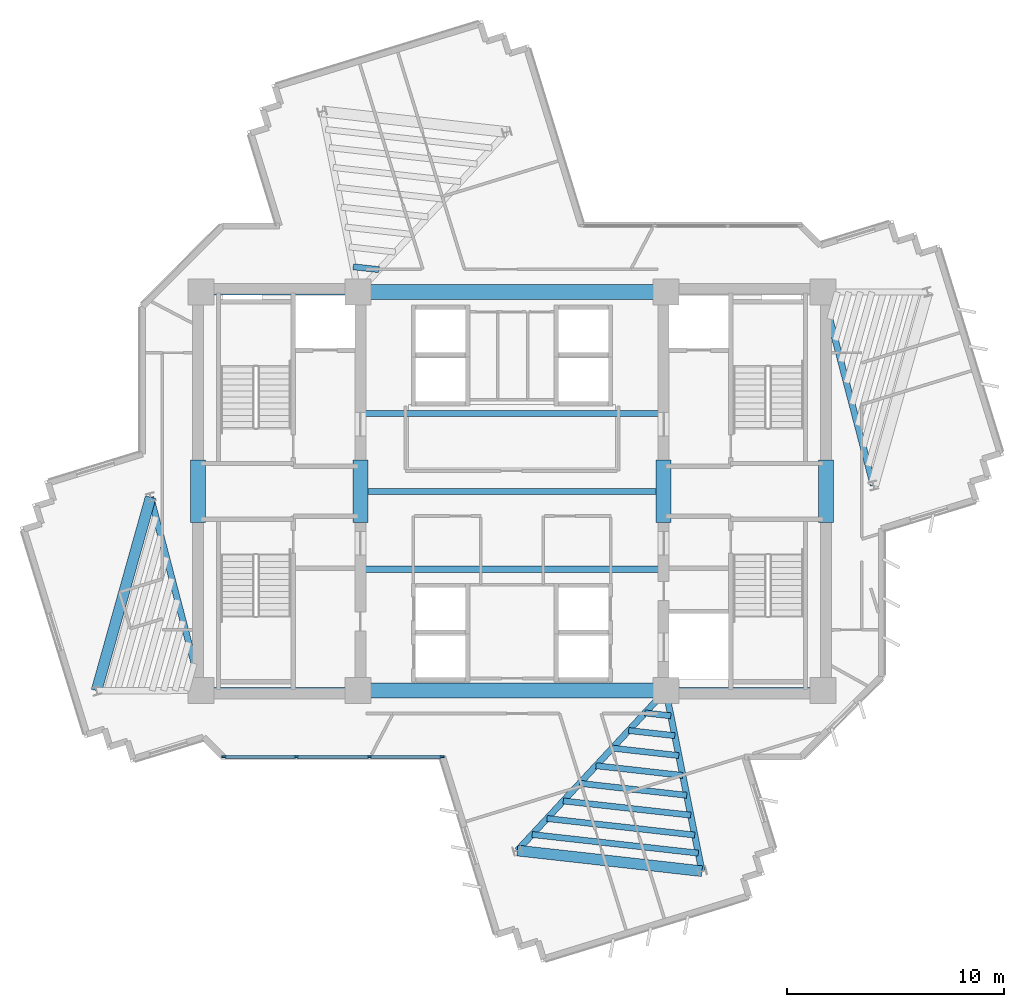
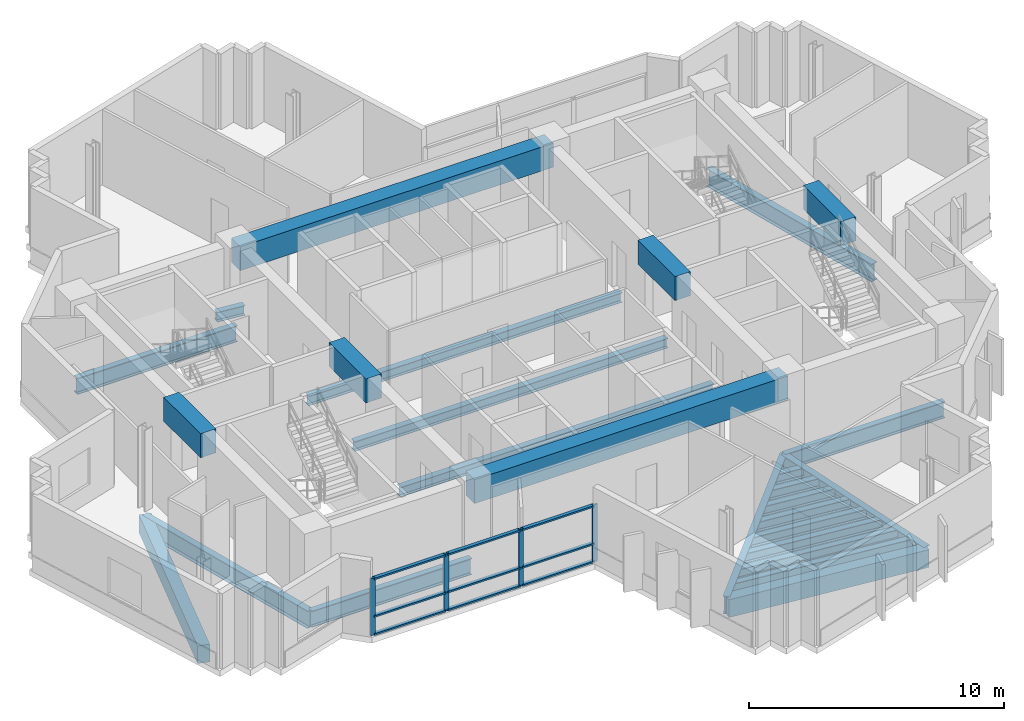
# One storey, part 2 of 13: 27 beams, 13 members, 1 element without a shape of its own.
"""IFC4 building model written with IfcOpenShell, lengths in metres."""

from ifc_helpers import new_model, si_unit, direction, frame, origin, origin_2d, place, context, subcontext, project, spatial, rectangle, i_section, extrude, source, transform, mapped, material, layer, layer_set, material_profile, profile_set, type_object, element, aggregate, save


model = new_model("IFC4")

# Units and contexts
model_context = context("Model", 3, precision=1e-05, world=origin(), true_north=direction((0.0, 1.0)))
body_context = subcontext(model_context, "Body", "Model", "MODEL_VIEW")
ifc_project = project(units=[si_unit("LENGTHUNIT", "METRE"), si_unit("AREAUNIT", "SQUARE_METRE"), si_unit("VOLUMEUNIT", "CUBIC_METRE"), si_unit("PLANEANGLEUNIT", "RADIAN"), si_unit("MASSUNIT", "GRAM", prefix="KILO")], contexts=[model_context])

# Site, building, storey
site_placement = place(None, origin())
site = spatial("IfcSite", under=ifc_project, at=site_placement, CompositionType="ELEMENT")
building_placement = place(site_placement, origin())
building = spatial("IfcBuilding", under=site, at=building_placement, Name="Zahravan Cultural Tower", CompositionType="ELEMENT")
storey_placement = place(building_placement, frame((0.0, 0.0, 217.5)))
storey = spatial("IfcBuildingStorey", under=building, at=storey_placement, Name="L51", CompositionType="ELEMENT", Elevation=217.5)

# Beams
ifc_material_1 = material(Name="Concrete C50/60", Category="concrete")
ifc_material_profile_1 = material_profile(ifc_material_1, rectangle(XDim=0.699951171875, YDim=1.14990234375, at=origin_2d()), Name="RC700X1150")
ifc_profile_set_1 = profile_set([ifc_material_profile_1], Name="Concrete C50/60")
beam_type_1 = type_object("IfcBeamType", Name="BM-LN-RC700X1150", PredefinedType="LINTEL", material=ifc_profile_set_1)
shared_shape_1 = source(origin(), body_context, "Body", "SweptSolid", [
    extrude(rectangle(XDim=0.699951171875, YDim=1.14990234375, at=origin_2d()), origin(), (0.0, 0.0, 1.0), 14.2001953125),
])
for number, where, z_axis, x_axis, name in (
    (1, (28.89990234375, 17.800048828125, 3.044921875), (1.0, 0.0, 0.0), (0.0, 1.0, 0.0), "L51 Beam LN-L51-S"),
    (2, (28.89990234375, 36.199951171875, 3.044921875), (1.0, 0.0, 0.0), (0.0, 1.0, 0.0), "L51 Beam LN-L51-N"),
):
    element("IfcBeam", number, at=place(storey_placement, frame(where, z_axis=z_axis, x_axis=x_axis)), inside=storey, type_object=beam_type_1, Name=name, PredefinedType="LINTEL", context=body_context, shape_type="MappedRepresentation", body=[
        mapped(shared_shape_1, transform((0.0, 0.0, 0.0), x_axis=(1.0, 0.0, 0.0), y_axis=(0.0, 1.0, 0.0), z_axis=(0.0, 0.0, 1.0), scale=1.0)),
    ])
shared_shape_2 = source(origin(), body_context, "Body", "SweptSolid", [
    extrude(rectangle(XDim=0.699951171875, YDim=1.14990234375, at=origin_2d()), origin(), (0.0, 0.0, 1.0), 2.89990234375),
])
for number, where, z_axis, x_axis, name in (
    (3, (21.5, 25.550048828125, 3.044921875), (0.0, 1.0, 0.0), (-1.0, 0.0, 0.0), "L51 Beam LN-L51-PWW"),
    (4, (29.0, 25.550048828125, 3.044921875), (0.0, 1.0, 0.0), (-1.0, 0.0, 0.0), "L51 Beam LN-L51-PWE"),
    (5, (43.0, 25.550048828125, 3.044921875), (0.0, 1.0, 0.0), (-1.0, 0.0, 0.0), "L51 Beam LN-L51-PEW"),
    (6, (50.5, 25.550048828125, 3.044921875), (0.0, 1.0, 0.0), (-1.0, 0.0, 0.0), "L51 Beam LN-L51-PEE"),
):
    element("IfcBeam", number, at=place(storey_placement, frame(where, z_axis=z_axis, x_axis=x_axis)), inside=storey, type_object=beam_type_1, Name=name, PredefinedType="LINTEL", context=body_context, shape_type="MappedRepresentation", body=[
        mapped(shared_shape_2, transform((0.0, 0.0, 0.0), x_axis=(1.0, 0.0, 0.0), y_axis=(0.0, 1.0, 0.0), z_axis=(0.0, 0.0, 1.0), scale=1.0)),
    ])
ifc_material_2 = material(Name="Steel ASTM A992 Grade 50", Category="steel")
ifc_material_profile_2 = material_profile(ifc_material_2, i_section(OverallWidth=0.26611328125, OverallDepth=0.780029296875, WebThickness=0.0166015625, FlangeThickness=0.030029296875, FilletRadius=0.01904296875, at=origin_2d()), Name="W30X148")
ifc_profile_set_2 = profile_set([ifc_material_profile_2], Name="Steel ASTM A992 Grade 50")
beam_type_2 = type_object("IfcBeamType", Name="BM-G-W30X148", PredefinedType="BEAM", material=ifc_profile_set_2)
shared_shape_3 = source(origin(), body_context, "Body", "SweptSolid", [
    extrude(i_section(OverallWidth=0.26611328125, OverallDepth=0.780029296875, WebThickness=0.0166015625, FlangeThickness=0.030029296875, FilletRadius=0.01904296875, at=origin_2d()), origin(), (0.0, 0.0, 1.0), 7.25),
])
for number, where, z_axis, x_axis, name in (
    (7, (21.64990234375, 17.800048828125, -0.669921875), (1.0, 0.0, 0.0), (0.0, 1.0, 0.0), "L51 Beam BG-L51-01"),
    (8, (21.64990234375, 36.199951171875, -0.669921875), (1.0, 0.0, 0.0), (0.0, 1.0, 0.0), "L51 Beam BG-L51-02"),
    (9, (43.10009765625, 17.800048828125, -0.669921875), (1.0, 0.0, 0.0), (0.0, 1.0, 0.0), "L51 Beam BG-L51-04"),
):
    element("IfcBeam", number, at=place(storey_placement, frame(where, z_axis=z_axis, x_axis=x_axis)), inside=storey, type_object=beam_type_2, Name=name, PredefinedType="BEAM", context=body_context, shape_type="MappedRepresentation", body=[
        mapped(shared_shape_3, transform((0.0, 0.0, 0.0), x_axis=(1.0, 0.0, 0.0), y_axis=(0.0, 1.0, 0.0), z_axis=(0.0, 0.0, 1.0), scale=1.0)),
    ])
ifc_material_profile_3 = material_profile(ifc_material_1, rectangle(XDim=0.5, YDim=0.85009765625, at=origin_2d()), Name="RC500X850")
ifc_profile_set_3 = profile_set([ifc_material_profile_3], Name="Concrete C50/60")
beam_type_3 = type_object("IfcBeamType", Name="BM-SP-RC500X850", PredefinedType="SPANDREL", material=ifc_profile_set_3)
shared_shape_4 = source(origin(), body_context, "Body", "SweptSolid", [
    extrude(rectangle(XDim=0.5, YDim=0.85009765625, at=origin_2d()), origin(), (0.0, 0.0, 1.0), 9.2783203125),
])
beam_1_placement = place(storey_placement, frame((19.315673828125, 26.72900390625, -0.705078125), z_axis=(-0.269497187032, -0.963001176625, 0.0), x_axis=(0.963001176625, -0.269497187032, 0.0)))
element("IfcBeam", 10, at=beam_1_placement, inside=storey, type_object=beam_type_3, Name="L51 Beam SP-L51-15", PredefinedType="SPANDREL", context=body_context, shape_type="MappedRepresentation", body=[
    mapped(shared_shape_4, transform((0.0, 0.0, 0.0), x_axis=(1.0, 0.0, 0.0), y_axis=(0.0, 1.0, 0.0), z_axis=(0.0, 0.0, 1.0), scale=1.0)),
])
shared_shape_5 = source(origin(), body_context, "Body", "SweptSolid", [
    extrude(rectangle(XDim=0.5, YDim=0.85009765625, at=origin_2d()), origin(), (0.0, 0.0, 1.0), 8.579833984375),
])
beam_2_placement = place(storey_placement, frame((36.245361328125, 10.412353515625, -0.705078125), z_axis=(0.9938040105, -0.11114669907, 0.0), x_axis=(0.11114669907, 0.9938040105, 0.0)))
element("IfcBeam", 11, at=beam_2_placement, inside=storey, type_object=beam_type_3, Name="L51 Beam SP-L51-16", PredefinedType="SPANDREL", context=body_context, shape_type="MappedRepresentation", body=[
    mapped(shared_shape_5, transform((0.0, 0.0, 0.0), x_axis=(1.0, 0.0, 0.0), y_axis=(0.0, 1.0, 0.0), z_axis=(0.0, 0.0, 1.0), scale=1.0)),
])
ifc_material_profile_4 = material_profile(ifc_material_2, i_section(OverallWidth=0.29296875, OverallDepth=0.845947265625, WebThickness=0.015380859375, FlangeThickness=0.0244140625, FilletRadius=0.02001953125, at=origin_2d()), Name="W33X141")
ifc_profile_set_4 = profile_set([ifc_material_profile_4], Name="Steel ASTM A992 Grade 50")
beam_type_4 = type_object("IfcBeamType", Name="BM-G-W33X141", PredefinedType="BEAM", material=ifc_profile_set_4)
shared_shape_6 = source(origin(), body_context, "Body", "SweptSolid", [
    extrude(i_section(OverallWidth=0.29296875, OverallDepth=0.845947265625, WebThickness=0.015380859375, FlangeThickness=0.0244140625, FilletRadius=0.02001953125, at=origin_2d()), origin(), (0.0, 0.0, 1.0), 9.22900390625),
])
for number, where, z_axis, x_axis, name in (
    (12, (21.64990234375, 17.800048828125, -0.702880859375), (-0.252922608408, 0.967486513682, 0.0), (-0.967486513682, -0.252922608408, 0.0), "L51 Beam BG-L51-07"),
    (13, (50.35009765625, 36.199951171875, -0.702880859375), (0.252922608408, -0.967486513682, 0.0), (0.967486513682, 0.252922608408, 0.0), "L51 Beam BG-L51-11"),
):
    element("IfcBeam", number, at=place(storey_placement, frame(where, z_axis=z_axis, x_axis=x_axis)), inside=storey, type_object=beam_type_4, Name=name, PredefinedType="BEAM", context=body_context, shape_type="MappedRepresentation", body=[
        mapped(shared_shape_6, transform((0.0, 0.0, 0.0), x_axis=(1.0, 0.0, 0.0), y_axis=(0.0, 1.0, 0.0), z_axis=(0.0, 0.0, 1.0), scale=1.0)),
    ])
shared_shape_7 = source(origin(), body_context, "Body", "SweptSolid", [
    extrude(i_section(OverallWidth=0.29296875, OverallDepth=0.845947265625, WebThickness=0.015380859375, FlangeThickness=0.0244140625, FilletRadius=0.02001953125, at=origin_2d()), origin(), (0.0, 0.0, 1.0), 10.077880859375),
])
beam_3_placement = place(storey_placement, frame((43.10009765625, 17.800048828125, -0.702880859375), z_axis=(-0.680170435587, -0.733054007938, 0.0), x_axis=(0.733054007938, -0.680170435587, 0.0)))
element("IfcBeam", 14, at=beam_3_placement, inside=storey, type_object=beam_type_4, Name="L51 Beam BG-L51-09", PredefinedType="BEAM", context=body_context, shape_type="MappedRepresentation", body=[
    mapped(shared_shape_7, transform((0.0, 0.0, 0.0), x_axis=(1.0, 0.0, 0.0), y_axis=(0.0, 1.0, 0.0), z_axis=(0.0, 0.0, 1.0), scale=1.0)),
])
shared_shape_8 = source(origin(), body_context, "Body", "SweptSolid", [
    extrude(i_section(OverallWidth=0.29296875, OverallDepth=0.845947265625, WebThickness=0.015380859375, FlangeThickness=0.0244140625, FilletRadius=0.02001953125, at=origin_2d()), origin(), (0.0, 0.0, 1.0), 8.50732421875),
])
beam_4_placement = place(storey_placement, frame((43.10009765625, 17.800048828125, -0.702880859375), z_axis=(0.196524514012, -0.980498911469, 0.0), x_axis=(0.980498911469, 0.196524514012, 0.0)))
element("IfcBeam", 15, at=beam_4_placement, inside=storey, type_object=beam_type_4, Name="L51 Beam BG-L51-10", PredefinedType="BEAM", context=body_context, shape_type="MappedRepresentation", body=[
    mapped(shared_shape_8, transform((0.0, 0.0, 0.0), x_axis=(1.0, 0.0, 0.0), y_axis=(0.0, 1.0, 0.0), z_axis=(0.0, 0.0, 1.0), scale=1.0)),
])
ifc_material_profile_5 = material_profile(ifc_material_2, i_section(OverallWidth=0.280029296875, OverallDepth=0.462890625, WebThickness=0.0107421875, FlangeThickness=0.017333984375, FilletRadius=0.012939453125, at=origin_2d()), Name="W18X76")
ifc_profile_set_5 = profile_set([ifc_material_profile_5], Name="Steel ASTM A992 Grade 50")
beam_type_5 = type_object("IfcBeamType", Name="BM-J-W18X76", PredefinedType="JOIST", material=ifc_profile_set_5)
shared_shape_9 = source(origin(), body_context, "Body", "SweptSolid", [
    extrude(i_section(OverallWidth=0.280029296875, OverallDepth=0.462890625, WebThickness=0.0107421875, FlangeThickness=0.017333984375, FilletRadius=0.012939453125, at=origin_2d()), origin(), (0.0, 0.0, 1.0), 14.2001953125),
])
for number, where, z_axis, x_axis, name in (
    (16, (28.89990234375, 23.39990234375, -0.511474609375), (1.0, 0.0, 0.0), (0.0, 1.0, 0.0), "L51 Beam BJ-L51-19"),
    (17, (28.89990234375, 27.0, -0.511474609375), (1.0, 0.0, 0.0), (0.0, 1.0, 0.0), "L51 Beam BJ-L51-20"),
    (18, (28.89990234375, 30.60009765625, -0.511474609375), (1.0, 0.0, 0.0), (0.0, 1.0, 0.0), "L51 Beam BJ-L51-21"),
):
    element("IfcBeam", number, at=place(storey_placement, frame(where, z_axis=z_axis, x_axis=x_axis)), inside=storey, type_object=beam_type_5, Name=name, PredefinedType="JOIST", context=body_context, shape_type="MappedRepresentation", body=[
        mapped(shared_shape_9, transform((0.0, 0.0, 0.0), x_axis=(1.0, 0.0, 0.0), y_axis=(0.0, 1.0, 0.0), z_axis=(0.0, 0.0, 1.0), scale=1.0)),
    ])
shared_shape_10 = source(origin(), body_context, "Body", "SweptSolid", [
    extrude(i_section(OverallWidth=0.280029296875, OverallDepth=0.462890625, WebThickness=0.0107421875, FlangeThickness=0.017333984375, FilletRadius=0.012939453125, at=origin_2d()), origin(), (0.0, 0.0, 1.0), 1.201171875),
])
for number, where, z_axis, x_axis, name in (
    (19, (42.140380859375, 16.765625, -0.511474609375), (0.99379916149, -0.111190047317, 0.0), (0.111190047317, 0.99379916149, 0.0), "L51 Beam BJ-L51-30"),
    (20, (29.859619140625, 37.234375, -0.511474609375), (-0.99379916149, 0.111190047317, 0.0), (-0.111190047317, -0.99379916149, 0.0), "L51 Beam BJ-L51-46"),
):
    element("IfcBeam", number, at=place(storey_placement, frame(where, z_axis=z_axis, x_axis=x_axis)), inside=storey, type_object=beam_type_5, Name=name, PredefinedType="JOIST", context=body_context, shape_type="MappedRepresentation", body=[
        mapped(shared_shape_10, transform((0.0, 0.0, 0.0), x_axis=(1.0, 0.0, 0.0), y_axis=(0.0, 1.0, 0.0), z_axis=(0.0, 0.0, 1.0), scale=1.0)),
    ])
shared_shape_11 = source(origin(), body_context, "Body", "SweptSolid", [
    extrude(i_section(OverallWidth=0.280029296875, OverallDepth=0.462890625, WebThickness=0.0107421875, FlangeThickness=0.017333984375, FilletRadius=0.012939453125, at=origin_2d()), origin(), (0.0, 0.0, 1.0), 2.144775390625),
])
beam_5_placement = place(storey_placement, frame((41.386474609375, 15.953125, -0.511474609375), z_axis=(0.993797370806, -0.111206051, 0.0), x_axis=(0.111206051, 0.993797370806, 0.0)))
element("IfcBeam", 21, at=beam_5_placement, inside=storey, type_object=beam_type_5, Name="L51 Beam BJ-L51-31", PredefinedType="JOIST", context=body_context, shape_type="MappedRepresentation", body=[
    mapped(shared_shape_11, transform((0.0, 0.0, 0.0), x_axis=(1.0, 0.0, 0.0), y_axis=(0.0, 1.0, 0.0), z_axis=(0.0, 0.0, 1.0), scale=1.0)),
])
shared_shape_12 = source(origin(), body_context, "Body", "SweptSolid", [
    extrude(i_section(OverallWidth=0.280029296875, OverallDepth=0.462890625, WebThickness=0.0107421875, FlangeThickness=0.017333984375, FilletRadius=0.012939453125, at=origin_2d()), origin(), (0.0, 0.0, 1.0), 3.088623046875),
])
beam_6_placement = place(storey_placement, frame((40.63232421875, 15.140380859375, -0.511474609375), z_axis=(0.993805407368, -0.111134208443, 0.0), x_axis=(0.111134208443, 0.993805407368, 0.0)))
element("IfcBeam", 22, at=beam_6_placement, inside=storey, type_object=beam_type_5, Name="L51 Beam BJ-L51-32", PredefinedType="JOIST", context=body_context, shape_type="MappedRepresentation", body=[
    mapped(shared_shape_12, transform((0.0, 0.0, 0.0), x_axis=(1.0, 0.0, 0.0), y_axis=(0.0, 1.0, 0.0), z_axis=(0.0, 0.0, 1.0), scale=1.0)),
])
shared_shape_13 = source(origin(), body_context, "Body", "SweptSolid", [
    extrude(i_section(OverallWidth=0.280029296875, OverallDepth=0.462890625, WebThickness=0.0107421875, FlangeThickness=0.017333984375, FilletRadius=0.012939453125, at=origin_2d()), origin(), (0.0, 0.0, 1.0), 4.0322265625),
])
beam_7_placement = place(storey_placement, frame((39.87841796875, 14.327880859375, -0.511474609375), z_axis=(0.993802245601, -0.11116247855, 0.0), x_axis=(0.11116247855, 0.993802245601, 0.0)))
element("IfcBeam", 23, at=beam_7_placement, inside=storey, type_object=beam_type_5, Name="L51 Beam BJ-L51-33", PredefinedType="JOIST", context=body_context, shape_type="MappedRepresentation", body=[
    mapped(shared_shape_13, transform((0.0, 0.0, 0.0), x_axis=(1.0, 0.0, 0.0), y_axis=(0.0, 1.0, 0.0), z_axis=(0.0, 0.0, 1.0), scale=1.0)),
])
shared_shape_14 = source(origin(), body_context, "Body", "SweptSolid", [
    extrude(i_section(OverallWidth=0.280029296875, OverallDepth=0.462890625, WebThickness=0.0107421875, FlangeThickness=0.017333984375, FilletRadius=0.012939453125, at=origin_2d()), origin(), (0.0, 0.0, 1.0), 4.97607421875),
])
beam_8_placement = place(storey_placement, frame((39.124267578125, 13.51513671875, -0.511474609375), z_axis=(0.993806308517, -0.111126149723, 0.0), x_axis=(0.111126149723, 0.993806308517, 0.0)))
element("IfcBeam", 24, at=beam_8_placement, inside=storey, type_object=beam_type_5, Name="L51 Beam BJ-L51-34", PredefinedType="JOIST", context=body_context, shape_type="MappedRepresentation", body=[
    mapped(shared_shape_14, transform((0.0, 0.0, 0.0), x_axis=(1.0, 0.0, 0.0), y_axis=(0.0, 1.0, 0.0), z_axis=(0.0, 0.0, 1.0), scale=1.0)),
])
shared_shape_15 = source(origin(), body_context, "Body", "SweptSolid", [
    extrude(i_section(OverallWidth=0.280029296875, OverallDepth=0.462890625, WebThickness=0.0107421875, FlangeThickness=0.017333984375, FilletRadius=0.012939453125, at=origin_2d()), origin(), (0.0, 0.0, 1.0), 5.919921875),
])
beam_9_placement = place(storey_placement, frame((38.370361328125, 12.70263671875, -0.511474609375), z_axis=(0.993804520866, -0.111142135602, 0.0), x_axis=(0.111142135602, 0.993804520866, 0.0)))
element("IfcBeam", 25, at=beam_9_placement, inside=storey, type_object=beam_type_5, Name="L51 Beam BJ-L51-35", PredefinedType="JOIST", context=body_context, shape_type="MappedRepresentation", body=[
    mapped(shared_shape_15, transform((0.0, 0.0, 0.0), x_axis=(1.0, 0.0, 0.0), y_axis=(0.0, 1.0, 0.0), z_axis=(0.0, 0.0, 1.0), scale=1.0)),
])
shared_shape_16 = source(origin(), body_context, "Body", "SweptSolid", [
    extrude(i_section(OverallWidth=0.280029296875, OverallDepth=0.462890625, WebThickness=0.0107421875, FlangeThickness=0.017333984375, FilletRadius=0.012939453125, at=origin_2d()), origin(), (0.0, 0.0, 1.0), 6.86376953125),
])
beam_10_placement = place(storey_placement, frame((37.6162109375, 11.889892578125, -0.511474609375), z_axis=(0.993803224695, -0.111153725024, 0.0), x_axis=(0.111153725024, 0.993803224695, 0.0)))
element("IfcBeam", 26, at=beam_10_placement, inside=storey, type_object=beam_type_5, Name="L51 Beam BJ-L51-36", PredefinedType="JOIST", context=body_context, shape_type="MappedRepresentation", body=[
    mapped(shared_shape_16, transform((0.0, 0.0, 0.0), x_axis=(1.0, 0.0, 0.0), y_axis=(0.0, 1.0, 0.0), z_axis=(0.0, 0.0, 1.0), scale=1.0)),
])
shared_shape_17 = source(origin(), body_context, "Body", "SweptSolid", [
    extrude(i_section(OverallWidth=0.280029296875, OverallDepth=0.462890625, WebThickness=0.0107421875, FlangeThickness=0.017333984375, FilletRadius=0.012939453125, at=origin_2d()), origin(), (0.0, 0.0, 1.0), 7.7216796875),
])
beam_11_placement = place(storey_placement, frame((36.930908203125, 11.151123046875, -0.511474609375), z_axis=(0.993805212115, -0.11113595446, 0.0), x_axis=(0.11113595446, 0.993805212115, 0.0)))
element("IfcBeam", 27, at=beam_11_placement, inside=storey, type_object=beam_type_5, Name="L51 Beam BJ-L51-37", PredefinedType="JOIST", context=body_context, shape_type="MappedRepresentation", body=[
    mapped(shared_shape_17, transform((0.0, 0.0, 0.0), x_axis=(1.0, 0.0, 0.0), y_axis=(0.0, 1.0, 0.0), z_axis=(0.0, 0.0, 1.0), scale=1.0)),
])

# Curtain wall, members
ifc_material_3 = material(Name="Anodised bronze-aluminium mullion", Category="aluminium")
ifc_layer = layer(ifc_material_3, 0.219970703125)
ifc_layer_set = layer_set([ifc_layer], Name="Anodised bronze-aluminium mullion")
curtain_wall_type = type_object("IfcCurtainWallType", Name="CW-SYS-1", PredefinedType="USERDEFINED", material=ifc_layer_set)
curtain_wall_placement = place(storey_placement, origin())
curtain_wall = element("IfcCurtainWall", 28, at=curtain_wall_placement, inside=storey, type_object=curtain_wall_type, Name="L51 Recessed Curtain Wall CW-1.1", ObjectType="RECESSED GLAZING", PredefinedType="USERDEFINED")
ifc_material_profile_6 = material_profile(ifc_material_3, rectangle(XDim=0.080078125, YDim=0.219970703125, at=origin_2d()), Name="AL-M80X220")
ifc_profile_set_6 = profile_set([ifc_material_profile_6], Name="Anodised bronze-aluminium mullion")
member_type_1 = type_object("IfcMemberType", Name="CWM-CW-1", PredefinedType="MULLION", material=ifc_profile_set_6)
shared_shape_18 = source(origin(), body_context, "Body", "SweptSolid", [
    extrude(rectangle(XDim=0.080078125, YDim=0.219970703125, at=origin_2d()), origin(), (0.0, 0.0, 1.0), 2.739990234375),
])
member_1_placement = place(storey_placement, frame((32.763671875, 14.739990234375, 0.0), z_axis=(0.0, 0.0, 1.0), x_axis=(0.0, -1.0, 0.0)))
member_1 = element("IfcMember", 29, at=member_1_placement, type_object=member_type_1, Name="CW-1 mullion 1", PredefinedType="MULLION", context=body_context, shape_type="MappedRepresentation", body=[
    mapped(shared_shape_18, transform((0.0, 0.0, 0.0), x_axis=(1.0, 0.0, 0.0), y_axis=(0.0, 1.0, 0.0), z_axis=(0.0, 0.0, 1.0), scale=1.0)),
])
member_2_placement = place(storey_placement, frame((29.421630859375, 14.739990234375, 0.0), z_axis=(0.0, 0.0, 1.0), x_axis=(0.0, -1.0, 0.0)))
member_2 = element("IfcMember", 30, at=member_2_placement, type_object=member_type_1, Name="CW-1 mullion 2", PredefinedType="MULLION", context=body_context, shape_type="MappedRepresentation", body=[
    mapped(shared_shape_18, transform((0.0, 0.0, 0.0), x_axis=(1.0, 0.0, 0.0), y_axis=(0.0, 1.0, 0.0), z_axis=(0.0, 0.0, 1.0), scale=1.0)),
])
member_3_placement = place(storey_placement, frame((26.039794921875, 14.739990234375, 0.0), z_axis=(0.0, 0.0, 1.0), x_axis=(0.0, -1.0, 0.0)))
member_3 = element("IfcMember", 31, at=member_3_placement, type_object=member_type_1, Name="CW-1 mullion 3", PredefinedType="MULLION", context=body_context, shape_type="MappedRepresentation", body=[
    mapped(shared_shape_18, transform((0.0, 0.0, 0.0), x_axis=(1.0, 0.0, 0.0), y_axis=(0.0, 1.0, 0.0), z_axis=(0.0, 0.0, 1.0), scale=1.0)),
])
member_4_placement = place(storey_placement, frame((22.697998046875, 14.739990234375, 0.0), z_axis=(0.0, 0.0, 1.0), x_axis=(0.0, -1.0, 0.0)))
member_4 = element("IfcMember", 32, at=member_4_placement, type_object=member_type_1, Name="CW-1 mullion 4", PredefinedType="MULLION", context=body_context, shape_type="MappedRepresentation", body=[
    mapped(shared_shape_18, transform((0.0, 0.0, 0.0), x_axis=(1.0, 0.0, 0.0), y_axis=(0.0, 1.0, 0.0), z_axis=(0.0, 0.0, 1.0), scale=1.0)),
])
ifc_material_profile_7 = material_profile(ifc_material_3, rectangle(XDim=0.159912109375, YDim=0.080078125, at=origin_2d()), Name="AL-T80X160")
ifc_profile_set_7 = profile_set([ifc_material_profile_7], Name="Anodised bronze-aluminium mullion")
member_type_2 = type_object("IfcMemberType", Name="CWT-CW-1", PredefinedType="USERDEFINED", material=ifc_profile_set_7)
shared_shape_19 = source(origin(), body_context, "Body", "SweptSolid", [
    extrude(rectangle(XDim=0.159912109375, YDim=0.080078125, at=origin_2d()), origin(), (0.0, 0.0, 1.0), 3.261962890625),
])
member_5_placement = place(storey_placement, frame((32.7236328125, 14.739990234375, 0.0400390625), z_axis=(-1.0, 0.0, 0.0), x_axis=(0.0, -1.0, 0.0)))
member_5 = element("IfcMember", 33, at=member_5_placement, type_object=member_type_2, Name="CW-1 transom 1.1", ObjectType="TRANSOM", PredefinedType="USERDEFINED", context=body_context, shape_type="MappedRepresentation", body=[
    mapped(shared_shape_19, transform((0.0, 0.0, 0.0), x_axis=(1.0, 0.0, 0.0), y_axis=(0.0, 1.0, 0.0), z_axis=(0.0, 0.0, 1.0), scale=1.0)),
])
member_6_placement = place(storey_placement, frame((32.7236328125, 14.739990234375, 0.89990234375), z_axis=(-1.0, 0.0, 0.0), x_axis=(0.0, -1.0, 0.0)))
member_6 = element("IfcMember", 34, at=member_6_placement, type_object=member_type_2, Name="CW-1 transom 1.2", ObjectType="TRANSOM", PredefinedType="USERDEFINED", context=body_context, shape_type="MappedRepresentation", body=[
    mapped(shared_shape_19, transform((0.0, 0.0, 0.0), x_axis=(1.0, 0.0, 0.0), y_axis=(0.0, 1.0, 0.0), z_axis=(0.0, 0.0, 1.0), scale=1.0)),
])
member_7_placement = place(storey_placement, frame((32.7236328125, 14.739990234375, 2.699951171875), z_axis=(-1.0, 0.0, 0.0), x_axis=(0.0, -1.0, 0.0)))
member_7 = element("IfcMember", 35, at=member_7_placement, type_object=member_type_2, Name="CW-1 transom 1.3", ObjectType="TRANSOM", PredefinedType="USERDEFINED", context=body_context, shape_type="MappedRepresentation", body=[
    mapped(shared_shape_19, transform((0.0, 0.0, 0.0), x_axis=(1.0, 0.0, 0.0), y_axis=(0.0, 1.0, 0.0), z_axis=(0.0, 0.0, 1.0), scale=1.0)),
])
shared_shape_20 = source(origin(), body_context, "Body", "SweptSolid", [
    extrude(rectangle(XDim=0.159912109375, YDim=0.080078125, at=origin_2d()), origin(), (0.0, 0.0, 1.0), 3.302001953125),
])
member_8_placement = place(storey_placement, frame((29.3818359375, 14.739990234375, 0.0400390625), z_axis=(-1.0, 0.0, 0.0), x_axis=(0.0, -1.0, 0.0)))
member_8 = element("IfcMember", 36, at=member_8_placement, type_object=member_type_2, Name="CW-1 transom 2.1", ObjectType="TRANSOM", PredefinedType="USERDEFINED", context=body_context, shape_type="MappedRepresentation", body=[
    mapped(shared_shape_20, transform((0.0, 0.0, 0.0), x_axis=(1.0, 0.0, 0.0), y_axis=(0.0, 1.0, 0.0), z_axis=(0.0, 0.0, 1.0), scale=1.0)),
])
member_9_placement = place(storey_placement, frame((29.3818359375, 14.739990234375, 0.89990234375), z_axis=(-1.0, 0.0, 0.0), x_axis=(0.0, -1.0, 0.0)))
member_9 = element("IfcMember", 37, at=member_9_placement, type_object=member_type_2, Name="CW-1 transom 2.2", ObjectType="TRANSOM", PredefinedType="USERDEFINED", context=body_context, shape_type="MappedRepresentation", body=[
    mapped(shared_shape_20, transform((0.0, 0.0, 0.0), x_axis=(1.0, 0.0, 0.0), y_axis=(0.0, 1.0, 0.0), z_axis=(0.0, 0.0, 1.0), scale=1.0)),
])
member_10_placement = place(storey_placement, frame((29.3818359375, 14.739990234375, 2.699951171875), z_axis=(-1.0, 0.0, 0.0), x_axis=(0.0, -1.0, 0.0)))
member_10 = element("IfcMember", 38, at=member_10_placement, type_object=member_type_2, Name="CW-1 transom 2.3", ObjectType="TRANSOM", PredefinedType="USERDEFINED", context=body_context, shape_type="MappedRepresentation", body=[
    mapped(shared_shape_20, transform((0.0, 0.0, 0.0), x_axis=(1.0, 0.0, 0.0), y_axis=(0.0, 1.0, 0.0), z_axis=(0.0, 0.0, 1.0), scale=1.0)),
])
shared_shape_21 = source(origin(), body_context, "Body", "SweptSolid", [
    extrude(rectangle(XDim=0.159912109375, YDim=0.080078125, at=origin_2d()), origin(), (0.0, 0.0, 1.0), 3.26171875),
])
member_11_placement = place(storey_placement, frame((25.999755859375, 14.739990234375, 0.0400390625), z_axis=(-1.0, 0.0, 0.0), x_axis=(0.0, -1.0, 0.0)))
member_11 = element("IfcMember", 39, at=member_11_placement, type_object=member_type_2, Name="CW-1 transom 3.1", ObjectType="TRANSOM", PredefinedType="USERDEFINED", context=body_context, shape_type="MappedRepresentation", body=[
    mapped(shared_shape_21, transform((0.0, 0.0, 0.0), x_axis=(1.0, 0.0, 0.0), y_axis=(0.0, 1.0, 0.0), z_axis=(0.0, 0.0, 1.0), scale=1.0)),
])
member_12_placement = place(storey_placement, frame((25.999755859375, 14.739990234375, 0.89990234375), z_axis=(-1.0, 0.0, 0.0), x_axis=(0.0, -1.0, 0.0)))
member_12 = element("IfcMember", 40, at=member_12_placement, type_object=member_type_2, Name="CW-1 transom 3.2", ObjectType="TRANSOM", PredefinedType="USERDEFINED", context=body_context, shape_type="MappedRepresentation", body=[
    mapped(shared_shape_21, transform((0.0, 0.0, 0.0), x_axis=(1.0, 0.0, 0.0), y_axis=(0.0, 1.0, 0.0), z_axis=(0.0, 0.0, 1.0), scale=1.0)),
])
member_13_placement = place(storey_placement, frame((25.999755859375, 14.739990234375, 2.699951171875), z_axis=(-1.0, 0.0, 0.0), x_axis=(0.0, -1.0, 0.0)))
member_13 = element("IfcMember", 41, at=member_13_placement, type_object=member_type_2, Name="CW-1 transom 3.3", ObjectType="TRANSOM", PredefinedType="USERDEFINED", context=body_context, shape_type="MappedRepresentation", body=[
    mapped(shared_shape_21, transform((0.0, 0.0, 0.0), x_axis=(1.0, 0.0, 0.0), y_axis=(0.0, 1.0, 0.0), z_axis=(0.0, 0.0, 1.0), scale=1.0)),
])
aggregate(curtain_wall, [member_1, member_2, member_3, member_4, member_5, member_6, member_7, member_8, member_9, member_10, member_11, member_12, member_13])

save(model, "model.ifc")
